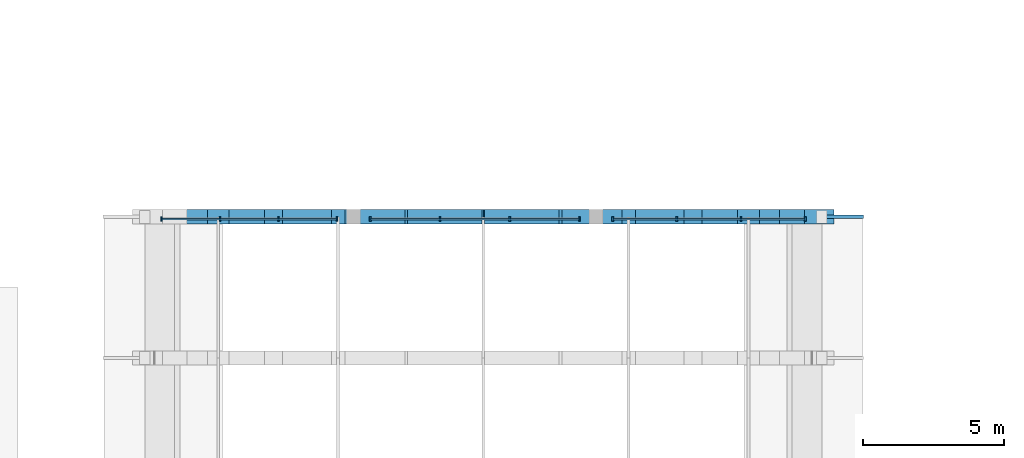
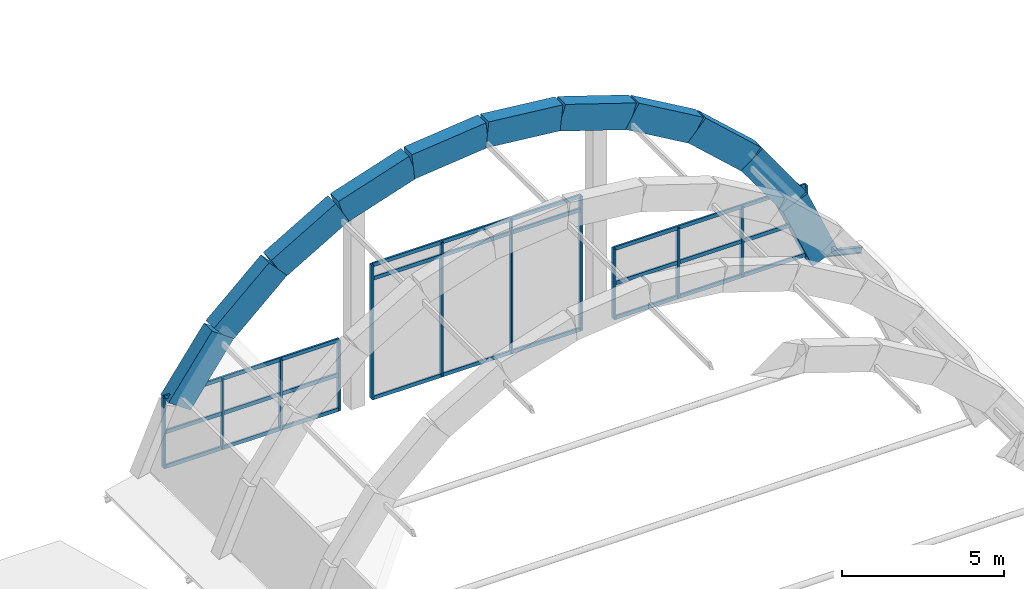
# One storey, part 21 of 76: 21 members, 12 beams, 3 elements without a shape of their own.
"""IFC4 building model written with IfcOpenShell, lengths in metres."""

from ifc_helpers import new_model, si_unit, direction, frame, origin, origin_2d, place, context, subcontext, project, spatial, rectangle, i_section, extrude, material, material_profile, profile_set, type_object, element, aggregate, save


model = new_model("IFC4")

# Units and contexts
model_context = context("Model", 3, precision=1e-05, world=origin(), true_north=direction((0.0, 1.0)))
body_context = subcontext(model_context, "Body", "Model", "MODEL_VIEW")
ifc_project = project(units=[si_unit("LENGTHUNIT", "METRE"), si_unit("AREAUNIT", "SQUARE_METRE"), si_unit("VOLUMEUNIT", "CUBIC_METRE"), si_unit("PLANEANGLEUNIT", "RADIAN"), si_unit("MASSUNIT", "GRAM", prefix="KILO")], contexts=[model_context])

# Site, building, storey
site_placement = place(None, origin())
site = spatial("IfcSite", under=ifc_project, at=site_placement, CompositionType="ELEMENT")
building_placement = place(site_placement, origin())
building = spatial("IfcBuilding", under=site, at=building_placement, Name="Kiranvali Square Residences", CompositionType="ELEMENT")
storey_placement = place(building_placement, frame((0.0, 0.0, 8.699951171875)))
storey = spatial("IfcBuildingStorey", under=building, at=storey_placement, Name="L02", CompositionType="ELEMENT", Elevation=8.699951171875)

# Curtain wall, members
ifc_material_1 = material(Name="Anodised bronze aluminium framing", Category="aluminium")
curtain_wall_type = type_object("IfcCurtainWallType", Name="CW-CH-TYM", PredefinedType="USERDEFINED", material=ifc_material_1)
curtain_wall_1_placement = place(storey_placement, origin())
curtain_wall_1 = element("IfcCurtainWall", 1, at=curtain_wall_1_placement, inside=storey, type_object=curtain_wall_type, Name="Community Hall N vaulted tympanum glazing 1", ObjectType="CURTAIN WALL", PredefinedType="USERDEFINED")
ifc_material_profile_1 = material_profile(ifc_material_1, rectangle(XDim=0.06494140625, YDim=0.159912109375, at=origin_2d()), Name="ALU 65x160")
ifc_profile_set_1 = profile_set([ifc_material_profile_1], Name="Anodised bronze aluminium framing")
member_type_1 = type_object("IfcMemberType", Name="CW-MUL-160", PredefinedType="MULLION", material=ifc_profile_set_1)
member_1_placement = place(storey_placement, frame((72.590087890625, 83.919921875, 0.0400390625), z_axis=(0.0, 0.0, 1.0), x_axis=(1.0, 0.0, 0.0)))
member_1 = element("IfcMember", 2, at=member_1_placement, type_object=member_type_1, Name="CW-CH-TYM-N-1 vertical mullion 1", PredefinedType="MULLION", context=body_context, shape_type="SweptSolid", body=[
    extrude(rectangle(XDim=0.06494140625, YDim=0.159912109375, at=origin_2d()), origin(), (0.0, 0.0, 1.0), 2.639892578125),
])
member_2_placement = place(storey_placement, frame((74.663330078125, 83.919921875, 0.0400390625), z_axis=(0.0, 0.0, 1.0), x_axis=(1.0, 0.0, 0.0)))
member_2 = element("IfcMember", 3, at=member_2_placement, type_object=member_type_1, Name="CW-CH-TYM-N-1 vertical mullion 2", PredefinedType="MULLION", context=body_context, shape_type="SweptSolid", body=[
    extrude(rectangle(XDim=0.06494140625, YDim=0.159912109375, at=origin_2d()), origin(), (0.0, 0.0, 1.0), 2.639892578125),
])
member_3_placement = place(storey_placement, frame((76.736572265625, 83.919921875, 0.0400390625), z_axis=(0.0, 0.0, 1.0), x_axis=(1.0, 0.0, 0.0)))
member_3 = element("IfcMember", 4, at=member_3_placement, type_object=member_type_1, Name="CW-CH-TYM-N-1 vertical mullion 3", PredefinedType="MULLION", context=body_context, shape_type="SweptSolid", body=[
    extrude(rectangle(XDim=0.06494140625, YDim=0.159912109375, at=origin_2d()), origin(), (0.0, 0.0, 1.0), 2.639892578125),
])
member_4_placement = place(storey_placement, frame((78.81005859375, 83.919921875, 0.0400390625), z_axis=(0.0, 0.0, 1.0), x_axis=(1.0, 0.0, 0.0)))
member_4 = element("IfcMember", 5, at=member_4_placement, type_object=member_type_1, Name="CW-CH-TYM-N-1 vertical mullion 4", PredefinedType="MULLION", context=body_context, shape_type="SweptSolid", body=[
    extrude(rectangle(XDim=0.06494140625, YDim=0.159912109375, at=origin_2d()), origin(), (0.0, 0.0, 1.0), 2.639892578125),
])

curtain_wall_2_placement = place(storey_placement, origin())
curtain_wall_2 = element("IfcCurtainWall", 6, at=curtain_wall_2_placement, inside=storey, type_object=curtain_wall_type, Name="Community Hall N vaulted tympanum glazing 2", ObjectType="CURTAIN WALL", PredefinedType="USERDEFINED")
member_5_placement = place(storey_placement, frame((79.989990234375, 83.919921875, 0.0400390625), z_axis=(0.0, 0.0, 1.0), x_axis=(1.0, 0.0, 0.0)))
member_5 = element("IfcMember", 7, at=member_5_placement, type_object=member_type_1, Name="CW-CH-TYM-N-2 vertical mullion 1", PredefinedType="MULLION", context=body_context, shape_type="SweptSolid", body=[
    extrude(rectangle(XDim=0.06494140625, YDim=0.159912109375, at=origin_2d()), origin(), (0.0, 0.0, 1.0), 5.0400390625),
])
member_6_placement = place(storey_placement, frame((82.46337890625, 83.919921875, 0.0400390625), z_axis=(0.0, 0.0, 1.0), x_axis=(1.0, 0.0, 0.0)))
member_6 = element("IfcMember", 8, at=member_6_placement, type_object=member_type_1, Name="CW-CH-TYM-N-2 vertical mullion 2", PredefinedType="MULLION", context=body_context, shape_type="SweptSolid", body=[
    extrude(rectangle(XDim=0.06494140625, YDim=0.159912109375, at=origin_2d()), origin(), (0.0, 0.0, 1.0), 5.0400390625),
])
member_7_placement = place(storey_placement, frame((84.936767578125, 83.919921875, 0.0400390625), z_axis=(0.0, 0.0, 1.0), x_axis=(1.0, 0.0, 0.0)))
member_7 = element("IfcMember", 9, at=member_7_placement, type_object=member_type_1, Name="CW-CH-TYM-N-2 vertical mullion 3", PredefinedType="MULLION", context=body_context, shape_type="SweptSolid", body=[
    extrude(rectangle(XDim=0.06494140625, YDim=0.159912109375, at=origin_2d()), origin(), (0.0, 0.0, 1.0), 5.0400390625),
])
member_8_placement = place(storey_placement, frame((87.409912109375, 83.919921875, 0.0400390625), z_axis=(0.0, 0.0, 1.0), x_axis=(1.0, 0.0, 0.0)))
member_8 = element("IfcMember", 10, at=member_8_placement, type_object=member_type_1, Name="CW-CH-TYM-N-2 vertical mullion 4", PredefinedType="MULLION", context=body_context, shape_type="SweptSolid", body=[
    extrude(rectangle(XDim=0.06494140625, YDim=0.159912109375, at=origin_2d()), origin(), (0.0, 0.0, 1.0), 5.0400390625),
])

curtain_wall_3_placement = place(storey_placement, origin())
curtain_wall_3 = element("IfcCurtainWall", 11, at=curtain_wall_3_placement, inside=storey, type_object=curtain_wall_type, Name="Community Hall N vaulted tympanum glazing 3", ObjectType="CURTAIN WALL", PredefinedType="USERDEFINED")
member_9_placement = place(storey_placement, frame((88.590087890625, 83.919921875, 0.0400390625), z_axis=(0.0, 0.0, 1.0), x_axis=(1.0, 0.0, 0.0)))
member_9 = element("IfcMember", 12, at=member_9_placement, type_object=member_type_1, Name="CW-CH-TYM-N-3 vertical mullion 1", PredefinedType="MULLION", context=body_context, shape_type="SweptSolid", body=[
    extrude(rectangle(XDim=0.06494140625, YDim=0.159912109375, at=origin_2d()), origin(), (0.0, 0.0, 1.0), 2.639892578125),
])
member_10_placement = place(storey_placement, frame((90.86328125, 83.919921875, 0.0400390625), z_axis=(0.0, 0.0, 1.0), x_axis=(1.0, 0.0, 0.0)))
member_10 = element("IfcMember", 13, at=member_10_placement, type_object=member_type_1, Name="CW-CH-TYM-N-3 vertical mullion 2", PredefinedType="MULLION", context=body_context, shape_type="SweptSolid", body=[
    extrude(rectangle(XDim=0.06494140625, YDim=0.159912109375, at=origin_2d()), origin(), (0.0, 0.0, 1.0), 2.639892578125),
])
member_11_placement = place(storey_placement, frame((93.13671875, 83.919921875, 0.0400390625), z_axis=(0.0, 0.0, 1.0), x_axis=(1.0, 0.0, 0.0)))
member_11 = element("IfcMember", 14, at=member_11_placement, type_object=member_type_1, Name="CW-CH-TYM-N-3 vertical mullion 3", PredefinedType="MULLION", context=body_context, shape_type="SweptSolid", body=[
    extrude(rectangle(XDim=0.06494140625, YDim=0.159912109375, at=origin_2d()), origin(), (0.0, 0.0, 1.0), 2.639892578125),
])
member_12_placement = place(storey_placement, frame((95.409912109375, 83.919921875, 0.0400390625), z_axis=(0.0, 0.0, 1.0), x_axis=(1.0, 0.0, 0.0)))
member_12 = element("IfcMember", 15, at=member_12_placement, type_object=member_type_1, Name="CW-CH-TYM-N-3 vertical mullion 4", PredefinedType="MULLION", context=body_context, shape_type="SweptSolid", body=[
    extrude(rectangle(XDim=0.06494140625, YDim=0.159912109375, at=origin_2d()), origin(), (0.0, 0.0, 1.0), 2.639892578125),
])

# Member
ifc_material_profile_2 = material_profile(ifc_material_1, rectangle(XDim=0.06494140625, YDim=0.139892578125, at=origin_2d()), Name="ALU 65x140")
ifc_profile_set_2 = profile_set([ifc_material_profile_2], Name="Anodised bronze aluminium framing")
member_type_2 = type_object("IfcMemberType", Name="CW-TRN-140", PredefinedType="MULLION", material=ifc_profile_set_2)
member_13_placement = place(storey_placement, frame((72.60009765625, 83.919921875, 0.06005859375), z_axis=(1.0, 0.0, 0.0), x_axis=(0.0, 1.0, 0.0)))
member_13 = element("IfcMember", 16, at=member_13_placement, type_object=member_type_2, Name="CW-CH-TYM-N-1 horizontal transom 1", PredefinedType="MULLION", context=body_context, shape_type="SweptSolid", body=[
    extrude(rectangle(XDim=0.06494140625, YDim=0.139892578125, at=origin_2d()), origin(), (0.0, 0.0, 1.0), 6.199951171875),
])

member_14_placement = place(storey_placement, frame((72.60009765625, 83.919921875, 1.360107421875), z_axis=(1.0, 0.0, 0.0), x_axis=(0.0, 1.0, 0.0)))
member_14 = element("IfcMember", 17, at=member_14_placement, type_object=member_type_2, Name="CW-CH-TYM-N-1 horizontal transom 2", PredefinedType="MULLION", context=body_context, shape_type="SweptSolid", body=[
    extrude(rectangle(XDim=0.06494140625, YDim=0.139892578125, at=origin_2d()), origin(), (0.0, 0.0, 1.0), 6.199951171875),
])

member_15_placement = place(storey_placement, frame((72.60009765625, 83.919921875, 2.66015625), z_axis=(1.0, 0.0, 0.0), x_axis=(0.0, 1.0, 0.0)))
member_15 = element("IfcMember", 18, at=member_15_placement, type_object=member_type_2, Name="CW-CH-TYM-N-1 horizontal transom 3", PredefinedType="MULLION", context=body_context, shape_type="SweptSolid", body=[
    extrude(rectangle(XDim=0.06494140625, YDim=0.139892578125, at=origin_2d()), origin(), (0.0, 0.0, 1.0), 6.199951171875),
])

aggregate(curtain_wall_1, [member_1, member_2, member_3, member_4, member_13, member_14, member_15])

member_16_placement = place(storey_placement, frame((80.0, 83.919921875, 0.06005859375), z_axis=(1.0, 0.0, 0.0), x_axis=(0.0, 1.0, 0.0)))
member_16 = element("IfcMember", 19, at=member_16_placement, type_object=member_type_2, Name="CW-CH-TYM-N-2 horizontal transom 1", PredefinedType="MULLION", context=body_context, shape_type="SweptSolid", body=[
    extrude(rectangle(XDim=0.06494140625, YDim=0.139892578125, at=origin_2d()), origin(), (0.0, 0.0, 1.0), 7.39990234375),
])

member_17_placement = place(storey_placement, frame((80.0, 83.919921875, 4.550048828125), z_axis=(1.0, 0.0, 0.0), x_axis=(0.0, 1.0, 0.0)))
member_17 = element("IfcMember", 20, at=member_17_placement, type_object=member_type_2, Name="CW-CH-TYM-N-2 horizontal transom 2", PredefinedType="MULLION", context=body_context, shape_type="SweptSolid", body=[
    extrude(rectangle(XDim=0.06494140625, YDim=0.139892578125, at=origin_2d()), origin(), (0.0, 0.0, 1.0), 7.39990234375),
])

member_18_placement = place(storey_placement, frame((80.0, 83.919921875, 5.06005859375), z_axis=(1.0, 0.0, 0.0), x_axis=(0.0, 1.0, 0.0)))
member_18 = element("IfcMember", 21, at=member_18_placement, type_object=member_type_2, Name="CW-CH-TYM-N-2 horizontal transom 3", PredefinedType="MULLION", context=body_context, shape_type="SweptSolid", body=[
    extrude(rectangle(XDim=0.06494140625, YDim=0.139892578125, at=origin_2d()), origin(), (0.0, 0.0, 1.0), 7.39990234375),
])

aggregate(curtain_wall_2, [member_5, member_6, member_7, member_8, member_16, member_17, member_18])

member_19_placement = place(storey_placement, frame((88.60009765625, 83.919921875, 0.06005859375), z_axis=(1.0, 0.0, 0.0), x_axis=(0.0, 1.0, 0.0)))
member_19 = element("IfcMember", 22, at=member_19_placement, type_object=member_type_2, Name="CW-CH-TYM-N-3 horizontal transom 1", PredefinedType="MULLION", context=body_context, shape_type="SweptSolid", body=[
    extrude(rectangle(XDim=0.06494140625, YDim=0.139892578125, at=origin_2d()), origin(), (0.0, 0.0, 1.0), 6.7998046875),
])

member_20_placement = place(storey_placement, frame((88.60009765625, 83.919921875, 1.360107421875), z_axis=(1.0, 0.0, 0.0), x_axis=(0.0, 1.0, 0.0)))
member_20 = element("IfcMember", 23, at=member_20_placement, type_object=member_type_2, Name="CW-CH-TYM-N-3 horizontal transom 2", PredefinedType="MULLION", context=body_context, shape_type="SweptSolid", body=[
    extrude(rectangle(XDim=0.06494140625, YDim=0.139892578125, at=origin_2d()), origin(), (0.0, 0.0, 1.0), 6.7998046875),
])

member_21_placement = place(storey_placement, frame((88.60009765625, 83.919921875, 2.66015625), z_axis=(1.0, 0.0, 0.0), x_axis=(0.0, 1.0, 0.0)))
member_21 = element("IfcMember", 24, at=member_21_placement, type_object=member_type_2, Name="CW-CH-TYM-N-3 horizontal transom 3", PredefinedType="MULLION", context=body_context, shape_type="SweptSolid", body=[
    extrude(rectangle(XDim=0.06494140625, YDim=0.139892578125, at=origin_2d()), origin(), (0.0, 0.0, 1.0), 6.7998046875),
])

aggregate(curtain_wall_3, [member_9, member_10, member_11, member_12, member_19, member_20, member_21])

# Beams
ifc_material_2 = material(Name="Structural steel E350", Category="steel")
ifc_material_profile_3 = material_profile(ifc_material_2, i_section(OverallWidth=0.110107421875, OverallDepth=0.22509765625, WebThickness=0.006591796875, FlangeThickness=0.01171875, at=origin_2d()), Name="ISMB 225")
ifc_profile_set_3 = profile_set([ifc_material_profile_3], Name="Structural steel E350")
beam_type_1 = type_object("IfcBeamType", Name="SBM-ISMB225", PredefinedType="JOIST", material=ifc_profile_set_3)
beam_1_placement = place(storey_placement, frame((96.0, 84.0, -0.179931640625), z_axis=(0.973578169392, 0.0, -0.2283539973), x_axis=(0.0, 1.0, 0.0)))
element("IfcBeam", 25, at=beam_1_placement, inside=storey, type_object=beam_type_1, Name="Community Hall Ottoman eave bracket E9", PredefinedType="JOIST", context=body_context, shape_type="SweptSolid", body=[
    extrude(i_section(OverallWidth=0.110107421875, OverallDepth=0.22509765625, WebThickness=0.006591796875, FlangeThickness=0.01171875, at=origin_2d()), origin(), (0.0, 0.0, 1.0), 1.4892578125),
])
ifc_material_3 = material(Name="Concrete M45 (45 MPa)", Category="concrete")
ifc_material_profile_4 = material_profile(ifc_material_3, rectangle(XDim=0.5, YDim=0.949951171875, at=origin_2d()), Name="RC 500x950")
ifc_profile_set_4 = profile_set([ifc_material_profile_4], Name="Concrete M45 (45 MPa)")
beam_type_2 = type_object("IfcBeamType", Name="VR-M45-500x950", PredefinedType="USERDEFINED", material=ifc_profile_set_4)
beam_2_placement = place(storey_placement, frame((73.0576171875, 84.0, 2.2685546875), z_axis=(0.582440788805, 0.0, 0.812873131267), x_axis=(0.0, 1.0, 0.0)))
element("IfcBeam", 26, at=beam_2_placement, inside=storey, type_object=beam_type_2, Name="Exposed Vault Arch Rib VR-1 bay 9 seg 2", ObjectType="ARCH RIB", PredefinedType="USERDEFINED", context=body_context, shape_type="SweptSolid", body=[
    extrude(rectangle(XDim=0.5, YDim=0.949951171875, at=origin_2d()), origin(), (0.0, 0.0, 1.0), 2.648681640625),
])
beam_3_placement = place(storey_placement, frame((74.600341796875, 84.0, 4.421630859375), z_axis=(0.739639727278, 0.0, 0.673003026615), x_axis=(0.0, 1.0, 0.0)))
element("IfcBeam", 27, at=beam_3_placement, inside=storey, type_object=beam_type_2, Name="Exposed Vault Arch Rib VR-1 bay 9 seg 3", ObjectType="ARCH RIB", PredefinedType="USERDEFINED", context=body_context, shape_type="SweptSolid", body=[
    extrude(rectangle(XDim=0.5, YDim=0.949951171875, at=origin_2d()), origin(), (0.0, 0.0, 1.0), 2.64892578125),
])
beam_4_placement = place(storey_placement, frame((76.5595703125, 84.0, 6.204345703125), z_axis=(0.864193138267, 0.0, 0.503160232701), x_axis=(0.0, 1.0, 0.0)))
element("IfcBeam", 28, at=beam_4_placement, inside=storey, type_object=beam_type_2, Name="Exposed Vault Arch Rib VR-1 bay 9 seg 4", ObjectType="ARCH RIB", PredefinedType="USERDEFINED", context=body_context, shape_type="SweptSolid", body=[
    extrude(rectangle(XDim=0.5, YDim=0.949951171875, at=origin_2d()), origin(), (0.0, 0.0, 1.0), 2.648681640625),
])
beam_5_placement = place(storey_placement, frame((78.8486328125, 84.0, 7.537109375), z_axis=(0.950356499345, 0.0, 0.311163179302), x_axis=(0.0, 1.0, 0.0)))
element("IfcBeam", 29, at=beam_5_placement, inside=storey, type_object=beam_type_2, Name="Exposed Vault Arch Rib VR-1 bay 9 seg 5", ObjectType="ARCH RIB", PredefinedType="USERDEFINED", context=body_context, shape_type="SweptSolid", body=[
    extrude(rectangle(XDim=0.5, YDim=0.949951171875, at=origin_2d()), origin(), (0.0, 0.0, 1.0), 2.64892578125),
])
for number, where, z_axis, x_axis, name in (
    (30, (81.365966796875, 84.0, 8.361328125), (0.99444467995, 0.0, 0.10526052688), (0.0, 1.0, 0.0), "Exposed Vault Arch Rib VR-1 bay 9 seg 6"),
    (31, (84.0, 84.0, 8.64013671875), (0.99444467995, 0.0, -0.10526052688), (0.0, 1.0, 0.0), "Exposed Vault Arch Rib VR-1 bay 9 seg 7"),
):
    element("IfcBeam", number, at=place(storey_placement, frame(where, z_axis=z_axis, x_axis=x_axis)), inside=storey, type_object=beam_type_2, Name=name, ObjectType="ARCH RIB", PredefinedType="USERDEFINED", context=body_context, shape_type="SweptSolid", body=[
        extrude(rectangle(XDim=0.5, YDim=0.949951171875, at=origin_2d()), origin(), (0.0, 0.0, 1.0), 2.648681640625),
    ])
beam_6_placement = place(storey_placement, frame((86.634033203125, 84.0, 8.361328125), z_axis=(0.950356499345, 0.0, -0.311163179302), x_axis=(0.0, 1.0, 0.0)))
element("IfcBeam", 32, at=beam_6_placement, inside=storey, type_object=beam_type_2, Name="Exposed Vault Arch Rib VR-1 bay 9 seg 8", ObjectType="ARCH RIB", PredefinedType="USERDEFINED", context=body_context, shape_type="SweptSolid", body=[
    extrude(rectangle(XDim=0.5, YDim=0.949951171875, at=origin_2d()), origin(), (0.0, 0.0, 1.0), 2.64892578125),
])
beam_7_placement = place(storey_placement, frame((89.1513671875, 84.0, 7.537109375), z_axis=(0.864193138267, 0.0, -0.503160232701), x_axis=(0.0, 1.0, 0.0)))
element("IfcBeam", 33, at=beam_7_placement, inside=storey, type_object=beam_type_2, Name="Exposed Vault Arch Rib VR-1 bay 9 seg 9", ObjectType="ARCH RIB", PredefinedType="USERDEFINED", context=body_context, shape_type="SweptSolid", body=[
    extrude(rectangle(XDim=0.5, YDim=0.949951171875, at=origin_2d()), origin(), (0.0, 0.0, 1.0), 2.648681640625),
])
beam_8_placement = place(storey_placement, frame((91.4404296875, 84.0, 6.204345703125), z_axis=(0.739639727278, 0.0, -0.673003026615), x_axis=(0.0, 1.0, 0.0)))
element("IfcBeam", 34, at=beam_8_placement, inside=storey, type_object=beam_type_2, Name="Exposed Vault Arch Rib VR-1 bay 9 seg 10", ObjectType="ARCH RIB", PredefinedType="USERDEFINED", context=body_context, shape_type="SweptSolid", body=[
    extrude(rectangle(XDim=0.5, YDim=0.949951171875, at=origin_2d()), origin(), (0.0, 0.0, 1.0), 2.64892578125),
])
for number, where, z_axis, x_axis, name in (
    (35, (93.399658203125, 84.0, 4.421630859375), (0.582440788805, 0.0, -0.812873131267), (0.0, 1.0, 0.0), "Exposed Vault Arch Rib VR-1 bay 9 seg 11"),
    (36, (94.9423828125, 84.0, 2.2685546875), (0.399285511826, 0.0, -0.916826635764), (0.0, 1.0, 0.0), "Exposed Vault Arch Rib VR-1 bay 9 seg 12"),
):
    element("IfcBeam", number, at=place(storey_placement, frame(where, z_axis=z_axis, x_axis=x_axis)), inside=storey, type_object=beam_type_2, Name=name, ObjectType="ARCH RIB", PredefinedType="USERDEFINED", context=body_context, shape_type="SweptSolid", body=[
        extrude(rectangle(XDim=0.5, YDim=0.949951171875, at=origin_2d()), origin(), (0.0, 0.0, 1.0), 2.648681640625),
    ])

save(model, "model.ifc")
